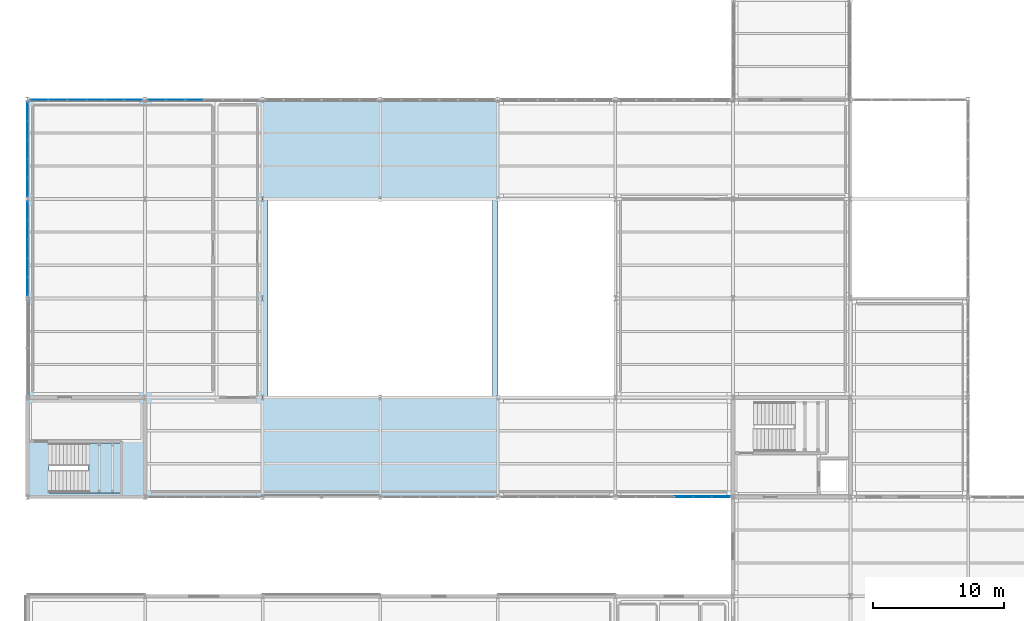
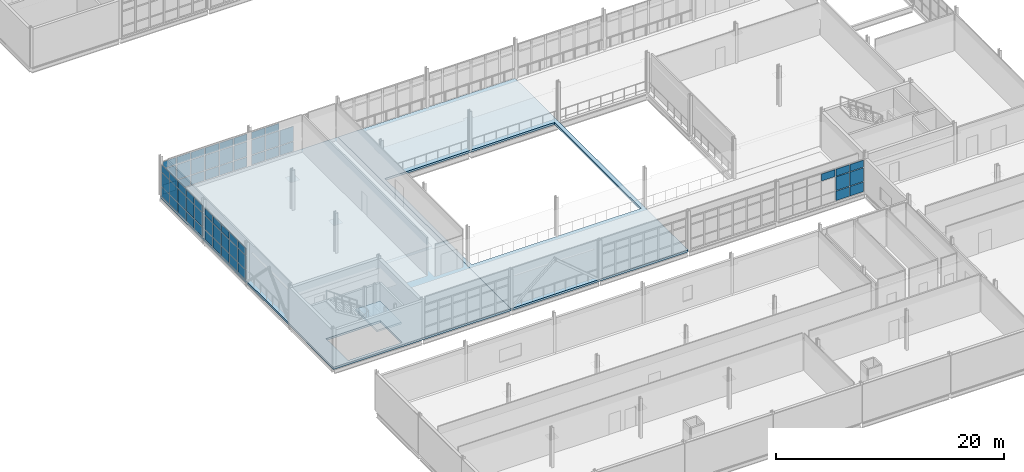
# One storey, part 129 of 174: 63 plates, 3 slabs, 6 elements without a shape of their own.
"""IFC4 building model written with IfcOpenShell, lengths in metres."""

from ifc_helpers import new_model, si_unit, direction, frame, origin, origin_2d, place, context, subcontext, project, spatial, polyline, rectangle, outline, extrude, material, layer, layer_set, type_object, element, aggregate, save


model = new_model("IFC4")

# Units and contexts
model_context = context("Model", 3, precision=1e-05, world=origin(), true_north=direction((0.0, 1.0)))
body_context = subcontext(model_context, "Body", "Model", "MODEL_VIEW")
ifc_project = project(units=[si_unit("LENGTHUNIT", "METRE"), si_unit("AREAUNIT", "SQUARE_METRE"), si_unit("VOLUMEUNIT", "CUBIC_METRE"), si_unit("PLANEANGLEUNIT", "RADIAN"), si_unit("MASSUNIT", "GRAM", prefix="KILO")], contexts=[model_context])

# Site, building, storey
site_placement = place(None, origin())
site = spatial("IfcSite", under=ifc_project, at=site_placement, CompositionType="ELEMENT")
building_placement = place(site_placement, origin())
building = spatial("IfcBuilding", under=site, at=building_placement, Name="Caisbarro Railhouse Central Library", CompositionType="ELEMENT")
storey_placement = place(building_placement, frame((0.0, 0.0, 5.0400390625)))
storey = spatial("IfcBuildingStorey", under=building, at=storey_placement, Name="L01", CompositionType="ELEMENT", Elevation=5.0400390625)

# Curtain wall, plates
ifc_material_1 = material(Name="Anodised architectural aluminium", Category="aluminium")
curtain_wall_type = type_object("IfcCurtainWallType", Name="CW-CW02", PredefinedType="NOTDEFINED", material=ifc_material_1)
curtain_wall_1_placement = place(storey_placement, origin())
curtain_wall_1 = element("IfcCurtainWall", 1, at=curtain_wall_1_placement, inside=storey, type_object=curtain_wall_type, Name="CW02 curtain wall L01 #2", PredefinedType="NOTDEFINED")
ifc_material_2 = material(Name="Double low-e laminated solar-control glass", Category="glass")
ifc_layer_1 = layer(ifc_material_2, 0.01806640625, Name="Double low-e laminated solar-control glass")
ifc_layer_set_1 = layer_set([ifc_layer_1], Name="Double low-e laminated solar-control glass")
plate_type_1 = type_object("IfcPlateType", Name="CWP-CP18", PredefinedType="CURTAIN_PANEL", material=ifc_layer_set_1)
plate_1_placement = place(storey_placement, frame((0.902099609375, 60.800048828125, 0.06494140625), z_axis=(0.0, 0.0, 1.0), x_axis=(1.0, 0.0, 0.0)))
plate_1 = element("IfcPlate", 2, at=plate_1_placement, type_object=plate_type_1, Name="CW02 panel 1.1", PredefinedType="CURTAIN_PANEL", context=body_context, shape_type="SweptSolid", body=[
    extrude(rectangle(XDim=1.334228515625, YDim=0.01806640625, at=origin_2d()), origin(), (0.0, 0.0, 1.0), 1.0224609375),
])
plate_2_placement = place(storey_placement, frame((0.902099609375, 60.800048828125, 1.15234375), z_axis=(0.0, 0.0, 1.0), x_axis=(1.0, 0.0, 0.0)))
plate_2 = element("IfcPlate", 3, at=plate_2_placement, type_object=plate_type_1, Name="CW02 panel 1.2", PredefinedType="CURTAIN_PANEL", context=body_context, shape_type="SweptSolid", body=[
    extrude(rectangle(XDim=1.334228515625, YDim=0.01806640625, at=origin_2d()), origin(), (0.0, 0.0, 1.0), 1.594970703125),
])
plate_3_placement = place(storey_placement, frame((0.902099609375, 60.800048828125, 2.8125), z_axis=(0.0, 0.0, 1.0), x_axis=(1.0, 0.0, 0.0)))
plate_3 = element("IfcPlate", 4, at=plate_3_placement, type_object=plate_type_1, Name="CW02 panel 1.3", PredefinedType="CURTAIN_PANEL", context=body_context, shape_type="SweptSolid", body=[
    extrude(rectangle(XDim=1.334228515625, YDim=0.01806640625, at=origin_2d()), origin(), (0.0, 0.0, 1.0), 0.75244140625),
])
plate_4_placement = place(storey_placement, frame((2.330078125, 60.800048828125, 0.06494140625), z_axis=(0.0, 0.0, 1.0), x_axis=(1.0, 0.0, 0.0)))
plate_4 = element("IfcPlate", 5, at=plate_4_placement, type_object=plate_type_1, Name="CW02 panel 2.1", PredefinedType="CURTAIN_PANEL", context=body_context, shape_type="SweptSolid", body=[
    extrude(rectangle(XDim=1.37158203125, YDim=0.01806640625, at=origin_2d()), origin(), (0.0, 0.0, 1.0), 1.0224609375),
])
plate_5_placement = place(storey_placement, frame((2.330078125, 60.800048828125, 1.15234375), z_axis=(0.0, 0.0, 1.0), x_axis=(1.0, 0.0, 0.0)))
plate_5 = element("IfcPlate", 6, at=plate_5_placement, type_object=plate_type_1, Name="CW02 panel 2.2", PredefinedType="CURTAIN_PANEL", context=body_context, shape_type="SweptSolid", body=[
    extrude(rectangle(XDim=1.37158203125, YDim=0.01806640625, at=origin_2d()), origin(), (0.0, 0.0, 1.0), 1.594970703125),
])
plate_6_placement = place(storey_placement, frame((2.330078125, 60.800048828125, 2.8125), z_axis=(0.0, 0.0, 1.0), x_axis=(1.0, 0.0, 0.0)))
plate_6 = element("IfcPlate", 7, at=plate_6_placement, type_object=plate_type_1, Name="CW02 panel 2.3", PredefinedType="CURTAIN_PANEL", context=body_context, shape_type="SweptSolid", body=[
    extrude(rectangle(XDim=1.37158203125, YDim=0.01806640625, at=origin_2d()), origin(), (0.0, 0.0, 1.0), 0.75244140625),
])
plate_7_placement = place(storey_placement, frame((3.776611328125, 60.800048828125, 0.06494140625), z_axis=(0.0, 0.0, 1.0), x_axis=(1.0, 0.0, 0.0)))
plate_7 = element("IfcPlate", 8, at=plate_7_placement, type_object=plate_type_1, Name="CW02 panel 3.1", PredefinedType="CURTAIN_PANEL", context=body_context, shape_type="SweptSolid", body=[
    extrude(rectangle(XDim=1.37158203125, YDim=0.01806640625, at=origin_2d()), origin(), (0.0, 0.0, 1.0), 1.0224609375),
])
plate_8_placement = place(storey_placement, frame((3.776611328125, 60.800048828125, 1.15234375), z_axis=(0.0, 0.0, 1.0), x_axis=(1.0, 0.0, 0.0)))
plate_8 = element("IfcPlate", 9, at=plate_8_placement, type_object=plate_type_1, Name="CW02 panel 3.2", PredefinedType="CURTAIN_PANEL", context=body_context, shape_type="SweptSolid", body=[
    extrude(rectangle(XDim=1.37158203125, YDim=0.01806640625, at=origin_2d()), origin(), (0.0, 0.0, 1.0), 1.594970703125),
])
plate_9_placement = place(storey_placement, frame((3.776611328125, 60.800048828125, 2.8125), z_axis=(0.0, 0.0, 1.0), x_axis=(1.0, 0.0, 0.0)))
plate_9 = element("IfcPlate", 10, at=plate_9_placement, type_object=plate_type_1, Name="CW02 panel 3.3", PredefinedType="CURTAIN_PANEL", context=body_context, shape_type="SweptSolid", body=[
    extrude(rectangle(XDim=1.37158203125, YDim=0.01806640625, at=origin_2d()), origin(), (0.0, 0.0, 1.0), 0.75244140625),
])
plate_10_placement = place(storey_placement, frame((5.223388671875, 60.800048828125, 0.06494140625), z_axis=(0.0, 0.0, 1.0), x_axis=(1.0, 0.0, 0.0)))
plate_10 = element("IfcPlate", 11, at=plate_10_placement, type_object=plate_type_1, Name="CW02 panel 4.1", PredefinedType="CURTAIN_PANEL", context=body_context, shape_type="SweptSolid", body=[
    extrude(rectangle(XDim=1.37158203125, YDim=0.01806640625, at=origin_2d()), origin(), (0.0, 0.0, 1.0), 1.0224609375),
])
plate_11_placement = place(storey_placement, frame((5.223388671875, 60.800048828125, 1.15234375), z_axis=(0.0, 0.0, 1.0), x_axis=(1.0, 0.0, 0.0)))
plate_11 = element("IfcPlate", 12, at=plate_11_placement, type_object=plate_type_1, Name="CW02 panel 4.2", PredefinedType="CURTAIN_PANEL", context=body_context, shape_type="SweptSolid", body=[
    extrude(rectangle(XDim=1.37158203125, YDim=0.01806640625, at=origin_2d()), origin(), (0.0, 0.0, 1.0), 1.594970703125),
])
plate_12_placement = place(storey_placement, frame((5.223388671875, 60.800048828125, 2.8125), z_axis=(0.0, 0.0, 1.0), x_axis=(1.0, 0.0, 0.0)))
plate_12 = element("IfcPlate", 13, at=plate_12_placement, type_object=plate_type_1, Name="CW02 panel 4.3", PredefinedType="CURTAIN_PANEL", context=body_context, shape_type="SweptSolid", body=[
    extrude(rectangle(XDim=1.37158203125, YDim=0.01806640625, at=origin_2d()), origin(), (0.0, 0.0, 1.0), 0.75244140625),
])
plate_13_placement = place(storey_placement, frame((6.669921875, 60.800048828125, 0.06494140625), z_axis=(0.0, 0.0, 1.0), x_axis=(1.0, 0.0, 0.0)))
plate_13 = element("IfcPlate", 14, at=plate_13_placement, type_object=plate_type_1, Name="CW02 panel 5.1", PredefinedType="CURTAIN_PANEL", context=body_context, shape_type="SweptSolid", body=[
    extrude(rectangle(XDim=1.37158203125, YDim=0.01806640625, at=origin_2d()), origin(), (0.0, 0.0, 1.0), 1.0224609375),
])
plate_14_placement = place(storey_placement, frame((6.669921875, 60.800048828125, 1.15234375), z_axis=(0.0, 0.0, 1.0), x_axis=(1.0, 0.0, 0.0)))
plate_14 = element("IfcPlate", 15, at=plate_14_placement, type_object=plate_type_1, Name="CW02 panel 5.2", PredefinedType="CURTAIN_PANEL", context=body_context, shape_type="SweptSolid", body=[
    extrude(rectangle(XDim=1.37158203125, YDim=0.01806640625, at=origin_2d()), origin(), (0.0, 0.0, 1.0), 1.594970703125),
])
plate_15_placement = place(storey_placement, frame((6.669921875, 60.800048828125, 2.8125), z_axis=(0.0, 0.0, 1.0), x_axis=(1.0, 0.0, 0.0)))
plate_15 = element("IfcPlate", 16, at=plate_15_placement, type_object=plate_type_1, Name="CW02 panel 5.3", PredefinedType="CURTAIN_PANEL", context=body_context, shape_type="SweptSolid", body=[
    extrude(rectangle(XDim=1.37158203125, YDim=0.01806640625, at=origin_2d()), origin(), (0.0, 0.0, 1.0), 0.75244140625),
])
plate_16_placement = place(storey_placement, frame((8.097900390625, 60.800048828125, 0.06494140625), z_axis=(0.0, 0.0, 1.0), x_axis=(1.0, 0.0, 0.0)))
plate_16 = element("IfcPlate", 17, at=plate_16_placement, type_object=plate_type_1, Name="CW02 panel 6.1", PredefinedType="CURTAIN_PANEL", context=body_context, shape_type="SweptSolid", body=[
    extrude(rectangle(XDim=1.334228515625, YDim=0.01806640625, at=origin_2d()), origin(), (0.0, 0.0, 1.0), 1.0224609375),
])
plate_17_placement = place(storey_placement, frame((8.097900390625, 60.800048828125, 1.15234375), z_axis=(0.0, 0.0, 1.0), x_axis=(1.0, 0.0, 0.0)))
plate_17 = element("IfcPlate", 18, at=plate_17_placement, type_object=plate_type_1, Name="CW02 panel 6.2", PredefinedType="CURTAIN_PANEL", context=body_context, shape_type="SweptSolid", body=[
    extrude(rectangle(XDim=1.334228515625, YDim=0.01806640625, at=origin_2d()), origin(), (0.0, 0.0, 1.0), 1.594970703125),
])
plate_18_placement = place(storey_placement, frame((8.097900390625, 60.800048828125, 2.8125), z_axis=(0.0, 0.0, 1.0), x_axis=(1.0, 0.0, 0.0)))
plate_18 = element("IfcPlate", 19, at=plate_18_placement, type_object=plate_type_1, Name="CW02 panel 6.3", PredefinedType="CURTAIN_PANEL", context=body_context, shape_type="SweptSolid", body=[
    extrude(rectangle(XDim=1.334228515625, YDim=0.01806640625, at=origin_2d()), origin(), (0.0, 0.0, 1.0), 0.75244140625),
])
aggregate(curtain_wall_1, [plate_1, plate_2, plate_3, plate_4, plate_5, plate_6, plate_7, plate_8, plate_9, plate_10, plate_11, plate_12, plate_13, plate_14, plate_15, plate_16, plate_17, plate_18])

curtain_wall_2_placement = place(storey_placement, origin())
curtain_wall_2 = element("IfcCurtainWall", 20, at=curtain_wall_2_placement, inside=storey, type_object=curtain_wall_type, Name="CW02 curtain wall L01 #4", PredefinedType="NOTDEFINED")
ifc_layer_2 = layer(ifc_material_2, 0.028076171875, Name="Double low-e laminated solar-control glass")
ifc_layer_set_2 = layer_set([ifc_layer_2], Name="Double low-e laminated solar-control glass")
plate_type_2 = type_object("IfcPlateType", Name="CWP-CP28", PredefinedType="CURTAIN_PANEL", material=ifc_layer_set_2)
plate_19_placement = place(storey_placement, frame((9.902099609375, 60.800048828125, 0.06494140625), z_axis=(0.0, 0.0, 1.0), x_axis=(1.0, 0.0, 0.0)))
plate_19 = element("IfcPlate", 21, at=plate_19_placement, type_object=plate_type_2, Name="CW02 panel 1.1", PredefinedType="CURTAIN_PANEL", context=body_context, shape_type="SweptSolid", body=[
    extrude(rectangle(XDim=1.334228515625, YDim=0.028076171875, at=origin_2d()), origin(), (0.0, 0.0, 1.0), 1.0224609375),
])
plate_20_placement = place(storey_placement, frame((9.902099609375, 60.800048828125, 1.15234375), z_axis=(0.0, 0.0, 1.0), x_axis=(1.0, 0.0, 0.0)))
plate_20 = element("IfcPlate", 22, at=plate_20_placement, type_object=plate_type_2, Name="CW02 panel 1.2", PredefinedType="CURTAIN_PANEL", context=body_context, shape_type="SweptSolid", body=[
    extrude(rectangle(XDim=1.334228515625, YDim=0.028076171875, at=origin_2d()), origin(), (0.0, 0.0, 1.0), 1.594970703125),
])
plate_21_placement = place(storey_placement, frame((9.902099609375, 60.800048828125, 2.8125), z_axis=(0.0, 0.0, 1.0), x_axis=(1.0, 0.0, 0.0)))
plate_21 = element("IfcPlate", 23, at=plate_21_placement, type_object=plate_type_2, Name="CW02 panel 1.3", PredefinedType="CURTAIN_PANEL", context=body_context, shape_type="SweptSolid", body=[
    extrude(rectangle(XDim=1.334228515625, YDim=0.028076171875, at=origin_2d()), origin(), (0.0, 0.0, 1.0), 0.75244140625),
])
plate_22_placement = place(storey_placement, frame((11.330078125, 60.800048828125, 0.06494140625), z_axis=(0.0, 0.0, 1.0), x_axis=(1.0, 0.0, 0.0)))
plate_22 = element("IfcPlate", 24, at=plate_22_placement, type_object=plate_type_2, Name="CW02 panel 2.1", PredefinedType="CURTAIN_PANEL", context=body_context, shape_type="SweptSolid", body=[
    extrude(rectangle(XDim=1.37158203125, YDim=0.028076171875, at=origin_2d()), origin(), (0.0, 0.0, 1.0), 1.0224609375),
])
plate_23_placement = place(storey_placement, frame((11.330078125, 60.800048828125, 1.15234375), z_axis=(0.0, 0.0, 1.0), x_axis=(1.0, 0.0, 0.0)))
plate_23 = element("IfcPlate", 25, at=plate_23_placement, type_object=plate_type_2, Name="CW02 panel 2.2", PredefinedType="CURTAIN_PANEL", context=body_context, shape_type="SweptSolid", body=[
    extrude(rectangle(XDim=1.37158203125, YDim=0.028076171875, at=origin_2d()), origin(), (0.0, 0.0, 1.0), 1.594970703125),
])
plate_24_placement = place(storey_placement, frame((11.330078125, 60.800048828125, 2.8125), z_axis=(0.0, 0.0, 1.0), x_axis=(1.0, 0.0, 0.0)))
plate_24 = element("IfcPlate", 26, at=plate_24_placement, type_object=plate_type_2, Name="CW02 panel 2.3", PredefinedType="CURTAIN_PANEL", context=body_context, shape_type="SweptSolid", body=[
    extrude(rectangle(XDim=1.37158203125, YDim=0.028076171875, at=origin_2d()), origin(), (0.0, 0.0, 1.0), 0.75244140625),
])
plate_25_placement = place(storey_placement, frame((12.776611328125, 60.800048828125, 0.06494140625), z_axis=(0.0, 0.0, 1.0), x_axis=(1.0, 0.0, 0.0)))
plate_25 = element("IfcPlate", 27, at=plate_25_placement, type_object=plate_type_2, Name="CW02 panel 3.1", PredefinedType="CURTAIN_PANEL", context=body_context, shape_type="SweptSolid", body=[
    extrude(rectangle(XDim=1.37158203125, YDim=0.028076171875, at=origin_2d()), origin(), (0.0, 0.0, 1.0), 1.0224609375),
])
plate_26_placement = place(storey_placement, frame((12.776611328125, 60.800048828125, 1.15234375), z_axis=(0.0, 0.0, 1.0), x_axis=(1.0, 0.0, 0.0)))
plate_26 = element("IfcPlate", 28, at=plate_26_placement, type_object=plate_type_2, Name="CW02 panel 3.2", PredefinedType="CURTAIN_PANEL", context=body_context, shape_type="SweptSolid", body=[
    extrude(rectangle(XDim=1.37158203125, YDim=0.028076171875, at=origin_2d()), origin(), (0.0, 0.0, 1.0), 1.594970703125),
])
aggregate(curtain_wall_2, [plate_19, plate_20, plate_21, plate_22, plate_23, plate_24, plate_25, plate_26])

curtain_wall_3_placement = place(storey_placement, origin())
curtain_wall_3 = element("IfcCurtainWall", 29, at=curtain_wall_3_placement, inside=storey, type_object=curtain_wall_type, Name="CW02 curtain wall L01 #28", PredefinedType="NOTDEFINED")
ifc_layer_3 = layer(ifc_material_2, 0.0380859375, Name="Double low-e laminated solar-control glass")
ifc_layer_set_3 = layer_set([ifc_layer_3], Name="Double low-e laminated solar-control glass")
plate_type_3 = type_object("IfcPlateType", Name="CWP-CP38", PredefinedType="CURTAIN_PANEL", material=ifc_layer_set_3)
plate_27_placement = place(storey_placement, frame((0.0, 46.504150390625, 0.07470703125), z_axis=(0.0, 0.0, 1.0), x_axis=(0.0, 1.0, 0.0)))
plate_27 = element("IfcPlate", 30, at=plate_27_placement, type_object=plate_type_3, Name="CW02 panel 1.1", PredefinedType="CURTAIN_PANEL", context=body_context, shape_type="SweptSolid", body=[
    extrude(rectangle(XDim=1.3583984375, YDim=0.0380859375, at=origin_2d()), origin(), (0.0, 0.0, 1.0), 1.007568359375),
])
plate_28_placement = place(storey_placement, frame((0.0, 46.504150390625, 1.1572265625), z_axis=(0.0, 0.0, 1.0), x_axis=(0.0, 1.0, 0.0)))
plate_28 = element("IfcPlate", 31, at=plate_28_placement, type_object=plate_type_3, Name="CW02 panel 1.2", PredefinedType="CURTAIN_PANEL", context=body_context, shape_type="SweptSolid", body=[
    extrude(rectangle(XDim=1.3583984375, YDim=0.0380859375, at=origin_2d()), origin(), (0.0, 0.0, 1.0), 1.465087890625),
])
plate_29_placement = place(storey_placement, frame((0.0, 46.504150390625, 2.697265625), z_axis=(0.0, 0.0, 1.0), x_axis=(0.0, 1.0, 0.0)))
plate_29 = element("IfcPlate", 32, at=plate_29_placement, type_object=plate_type_3, Name="CW02 panel 1.3", PredefinedType="CURTAIN_PANEL", context=body_context, shape_type="SweptSolid", body=[
    extrude(rectangle(XDim=1.3583984375, YDim=0.0380859375, at=origin_2d()), origin(), (0.0, 0.0, 1.0), 0.737548828125),
])
plate_30_placement = place(storey_placement, frame((0.0, 47.944091796875, 0.07470703125), z_axis=(0.0, 0.0, 1.0), x_axis=(0.0, 1.0, 0.0)))
plate_30 = element("IfcPlate", 33, at=plate_30_placement, type_object=plate_type_3, Name="CW02 panel 2.1", PredefinedType="CURTAIN_PANEL", context=body_context, shape_type="SweptSolid", body=[
    extrude(rectangle(XDim=1.39111328125, YDim=0.0380859375, at=origin_2d()), origin(), (0.0, 0.0, 1.0), 1.007568359375),
])
plate_31_placement = place(storey_placement, frame((0.0, 47.944091796875, 1.1572265625), z_axis=(0.0, 0.0, 1.0), x_axis=(0.0, 1.0, 0.0)))
plate_31 = element("IfcPlate", 34, at=plate_31_placement, type_object=plate_type_3, Name="CW02 panel 2.2", PredefinedType="CURTAIN_PANEL", context=body_context, shape_type="SweptSolid", body=[
    extrude(rectangle(XDim=1.39111328125, YDim=0.0380859375, at=origin_2d()), origin(), (0.0, 0.0, 1.0), 1.465087890625),
])
plate_32_placement = place(storey_placement, frame((0.0, 47.944091796875, 2.697265625), z_axis=(0.0, 0.0, 1.0), x_axis=(0.0, 1.0, 0.0)))
plate_32 = element("IfcPlate", 35, at=plate_32_placement, type_object=plate_type_3, Name="CW02 panel 2.3", PredefinedType="CURTAIN_PANEL", context=body_context, shape_type="SweptSolid", body=[
    extrude(rectangle(XDim=1.39111328125, YDim=0.0380859375, at=origin_2d()), origin(), (0.0, 0.0, 1.0), 0.737548828125),
])
plate_33_placement = place(storey_placement, frame((0.0, 49.39990234375, 0.07470703125), z_axis=(0.0, 0.0, 1.0), x_axis=(0.0, 1.0, 0.0)))
plate_33 = element("IfcPlate", 36, at=plate_33_placement, type_object=plate_type_3, Name="CW02 panel 3.1", PredefinedType="CURTAIN_PANEL", context=body_context, shape_type="SweptSolid", body=[
    extrude(rectangle(XDim=1.39111328125, YDim=0.0380859375, at=origin_2d()), origin(), (0.0, 0.0, 1.0), 1.007568359375),
])
plate_34_placement = place(storey_placement, frame((0.0, 49.39990234375, 1.1572265625), z_axis=(0.0, 0.0, 1.0), x_axis=(0.0, 1.0, 0.0)))
plate_34 = element("IfcPlate", 37, at=plate_34_placement, type_object=plate_type_3, Name="CW02 panel 3.2", PredefinedType="CURTAIN_PANEL", context=body_context, shape_type="SweptSolid", body=[
    extrude(rectangle(XDim=1.39111328125, YDim=0.0380859375, at=origin_2d()), origin(), (0.0, 0.0, 1.0), 1.465087890625),
])
plate_35_placement = place(storey_placement, frame((0.0, 49.39990234375, 2.697265625), z_axis=(0.0, 0.0, 1.0), x_axis=(0.0, 1.0, 0.0)))
plate_35 = element("IfcPlate", 38, at=plate_35_placement, type_object=plate_type_3, Name="CW02 panel 3.3", PredefinedType="CURTAIN_PANEL", context=body_context, shape_type="SweptSolid", body=[
    extrude(rectangle(XDim=1.39111328125, YDim=0.0380859375, at=origin_2d()), origin(), (0.0, 0.0, 1.0), 0.737548828125),
])
plate_36_placement = place(storey_placement, frame((0.0, 50.85595703125, 0.07470703125), z_axis=(0.0, 0.0, 1.0), x_axis=(0.0, 1.0, 0.0)))
plate_36 = element("IfcPlate", 39, at=plate_36_placement, type_object=plate_type_3, Name="CW02 panel 4.1", PredefinedType="CURTAIN_PANEL", context=body_context, shape_type="SweptSolid", body=[
    extrude(rectangle(XDim=1.39111328125, YDim=0.0380859375, at=origin_2d()), origin(), (0.0, 0.0, 1.0), 1.007568359375),
])
plate_37_placement = place(storey_placement, frame((0.0, 50.85595703125, 1.1572265625), z_axis=(0.0, 0.0, 1.0), x_axis=(0.0, 1.0, 0.0)))
plate_37 = element("IfcPlate", 40, at=plate_37_placement, type_object=plate_type_3, Name="CW02 panel 4.2", PredefinedType="CURTAIN_PANEL", context=body_context, shape_type="SweptSolid", body=[
    extrude(rectangle(XDim=1.39111328125, YDim=0.0380859375, at=origin_2d()), origin(), (0.0, 0.0, 1.0), 1.465087890625),
])
plate_38_placement = place(storey_placement, frame((0.0, 50.85595703125, 2.697265625), z_axis=(0.0, 0.0, 1.0), x_axis=(0.0, 1.0, 0.0)))
plate_38 = element("IfcPlate", 41, at=plate_38_placement, type_object=plate_type_3, Name="CW02 panel 4.3", PredefinedType="CURTAIN_PANEL", context=body_context, shape_type="SweptSolid", body=[
    extrude(rectangle(XDim=1.39111328125, YDim=0.0380859375, at=origin_2d()), origin(), (0.0, 0.0, 1.0), 0.737548828125),
])
plate_39_placement = place(storey_placement, frame((0.0, 52.295654296875, 0.07470703125), z_axis=(0.0, 0.0, 1.0), x_axis=(0.0, 1.0, 0.0)))
plate_39 = element("IfcPlate", 42, at=plate_39_placement, type_object=plate_type_3, Name="CW02 panel 5.1", PredefinedType="CURTAIN_PANEL", context=body_context, shape_type="SweptSolid", body=[
    extrude(rectangle(XDim=1.3583984375, YDim=0.0380859375, at=origin_2d()), origin(), (0.0, 0.0, 1.0), 1.007568359375),
])
plate_40_placement = place(storey_placement, frame((0.0, 52.295654296875, 1.1572265625), z_axis=(0.0, 0.0, 1.0), x_axis=(0.0, 1.0, 0.0)))
plate_40 = element("IfcPlate", 43, at=plate_40_placement, type_object=plate_type_3, Name="CW02 panel 5.2", PredefinedType="CURTAIN_PANEL", context=body_context, shape_type="SweptSolid", body=[
    extrude(rectangle(XDim=1.3583984375, YDim=0.0380859375, at=origin_2d()), origin(), (0.0, 0.0, 1.0), 1.465087890625),
])
plate_41_placement = place(storey_placement, frame((0.0, 52.295654296875, 2.697265625), z_axis=(0.0, 0.0, 1.0), x_axis=(0.0, 1.0, 0.0)))
plate_41 = element("IfcPlate", 44, at=plate_41_placement, type_object=plate_type_3, Name="CW02 panel 5.3", PredefinedType="CURTAIN_PANEL", context=body_context, shape_type="SweptSolid", body=[
    extrude(rectangle(XDim=1.3583984375, YDim=0.0380859375, at=origin_2d()), origin(), (0.0, 0.0, 1.0), 0.737548828125),
])
aggregate(curtain_wall_3, [plate_27, plate_28, plate_29, plate_30, plate_31, plate_32, plate_33, plate_34, plate_35, plate_36, plate_37, plate_38, plate_39, plate_40, plate_41])

curtain_wall_4_placement = place(storey_placement, origin())
curtain_wall_4 = element("IfcCurtainWall", 45, at=curtain_wall_4_placement, inside=storey, type_object=curtain_wall_type, Name="CW02 curtain wall L01 #29", PredefinedType="NOTDEFINED")
ifc_layer_4 = layer(ifc_material_2, 0.048095703125, Name="Double low-e laminated solar-control glass")
ifc_layer_set_4 = layer_set([ifc_layer_4], Name="Double low-e laminated solar-control glass")
plate_type_4 = type_object("IfcPlateType", Name="CWP-CP48", PredefinedType="CURTAIN_PANEL", material=ifc_layer_set_4)
plate_42_placement = place(storey_placement, frame((0.0, 54.104248046875, 0.07470703125), z_axis=(0.0, 0.0, 1.0), x_axis=(0.0, 1.0, 0.0)))
plate_42 = element("IfcPlate", 46, at=plate_42_placement, type_object=plate_type_4, Name="CW02 panel 1.1", PredefinedType="CURTAIN_PANEL", context=body_context, shape_type="SweptSolid", body=[
    extrude(rectangle(XDim=1.3583984375, YDim=0.048095703125, at=origin_2d()), origin(), (0.0, 0.0, 1.0), 1.007568359375),
])
plate_43_placement = place(storey_placement, frame((0.0, 54.104248046875, 1.1572265625), z_axis=(0.0, 0.0, 1.0), x_axis=(0.0, 1.0, 0.0)))
plate_43 = element("IfcPlate", 47, at=plate_43_placement, type_object=plate_type_4, Name="CW02 panel 1.2", PredefinedType="CURTAIN_PANEL", context=body_context, shape_type="SweptSolid", body=[
    extrude(rectangle(XDim=1.3583984375, YDim=0.048095703125, at=origin_2d()), origin(), (0.0, 0.0, 1.0), 1.465087890625),
])
plate_44_placement = place(storey_placement, frame((0.0, 54.104248046875, 2.697265625), z_axis=(0.0, 0.0, 1.0), x_axis=(0.0, 1.0, 0.0)))
plate_44 = element("IfcPlate", 48, at=plate_44_placement, type_object=plate_type_4, Name="CW02 panel 1.3", PredefinedType="CURTAIN_PANEL", context=body_context, shape_type="SweptSolid", body=[
    extrude(rectangle(XDim=1.3583984375, YDim=0.048095703125, at=origin_2d()), origin(), (0.0, 0.0, 1.0), 0.737548828125),
])
plate_45_placement = place(storey_placement, frame((0.0, 55.5439453125, 0.07470703125), z_axis=(0.0, 0.0, 1.0), x_axis=(0.0, 1.0, 0.0)))
plate_45 = element("IfcPlate", 49, at=plate_45_placement, type_object=plate_type_4, Name="CW02 panel 2.1", PredefinedType="CURTAIN_PANEL", context=body_context, shape_type="SweptSolid", body=[
    extrude(rectangle(XDim=1.39111328125, YDim=0.048095703125, at=origin_2d()), origin(), (0.0, 0.0, 1.0), 1.007568359375),
])
plate_46_placement = place(storey_placement, frame((0.0, 55.5439453125, 1.1572265625), z_axis=(0.0, 0.0, 1.0), x_axis=(0.0, 1.0, 0.0)))
plate_46 = element("IfcPlate", 50, at=plate_46_placement, type_object=plate_type_4, Name="CW02 panel 2.2", PredefinedType="CURTAIN_PANEL", context=body_context, shape_type="SweptSolid", body=[
    extrude(rectangle(XDim=1.39111328125, YDim=0.048095703125, at=origin_2d()), origin(), (0.0, 0.0, 1.0), 1.465087890625),
])
plate_47_placement = place(storey_placement, frame((0.0, 55.5439453125, 2.697265625), z_axis=(0.0, 0.0, 1.0), x_axis=(0.0, 1.0, 0.0)))
plate_47 = element("IfcPlate", 51, at=plate_47_placement, type_object=plate_type_4, Name="CW02 panel 2.3", PredefinedType="CURTAIN_PANEL", context=body_context, shape_type="SweptSolid", body=[
    extrude(rectangle(XDim=1.39111328125, YDim=0.048095703125, at=origin_2d()), origin(), (0.0, 0.0, 1.0), 0.737548828125),
])
plate_48_placement = place(storey_placement, frame((0.0, 57.0, 0.07470703125), z_axis=(0.0, 0.0, 1.0), x_axis=(0.0, 1.0, 0.0)))
plate_48 = element("IfcPlate", 52, at=plate_48_placement, type_object=plate_type_4, Name="CW02 panel 3.1", PredefinedType="CURTAIN_PANEL", context=body_context, shape_type="SweptSolid", body=[
    extrude(rectangle(XDim=1.39111328125, YDim=0.048095703125, at=origin_2d()), origin(), (0.0, 0.0, 1.0), 1.007568359375),
])
plate_49_placement = place(storey_placement, frame((0.0, 57.0, 1.1572265625), z_axis=(0.0, 0.0, 1.0), x_axis=(0.0, 1.0, 0.0)))
plate_49 = element("IfcPlate", 53, at=plate_49_placement, type_object=plate_type_4, Name="CW02 panel 3.2", PredefinedType="CURTAIN_PANEL", context=body_context, shape_type="SweptSolid", body=[
    extrude(rectangle(XDim=1.39111328125, YDim=0.048095703125, at=origin_2d()), origin(), (0.0, 0.0, 1.0), 1.465087890625),
])
plate_50_placement = place(storey_placement, frame((0.0, 57.0, 2.697265625), z_axis=(0.0, 0.0, 1.0), x_axis=(0.0, 1.0, 0.0)))
plate_50 = element("IfcPlate", 54, at=plate_50_placement, type_object=plate_type_4, Name="CW02 panel 3.3", PredefinedType="CURTAIN_PANEL", context=body_context, shape_type="SweptSolid", body=[
    extrude(rectangle(XDim=1.39111328125, YDim=0.048095703125, at=origin_2d()), origin(), (0.0, 0.0, 1.0), 0.737548828125),
])
plate_51_placement = place(storey_placement, frame((0.0, 58.4560546875, 0.07470703125), z_axis=(0.0, 0.0, 1.0), x_axis=(0.0, 1.0, 0.0)))
plate_51 = element("IfcPlate", 55, at=plate_51_placement, type_object=plate_type_4, Name="CW02 panel 4.1", PredefinedType="CURTAIN_PANEL", context=body_context, shape_type="SweptSolid", body=[
    extrude(rectangle(XDim=1.39111328125, YDim=0.048095703125, at=origin_2d()), origin(), (0.0, 0.0, 1.0), 1.007568359375),
])
plate_52_placement = place(storey_placement, frame((0.0, 58.4560546875, 1.1572265625), z_axis=(0.0, 0.0, 1.0), x_axis=(0.0, 1.0, 0.0)))
plate_52 = element("IfcPlate", 56, at=plate_52_placement, type_object=plate_type_4, Name="CW02 panel 4.2", PredefinedType="CURTAIN_PANEL", context=body_context, shape_type="SweptSolid", body=[
    extrude(rectangle(XDim=1.39111328125, YDim=0.048095703125, at=origin_2d()), origin(), (0.0, 0.0, 1.0), 1.465087890625),
])
plate_53_placement = place(storey_placement, frame((0.0, 58.4560546875, 2.697265625), z_axis=(0.0, 0.0, 1.0), x_axis=(0.0, 1.0, 0.0)))
plate_53 = element("IfcPlate", 57, at=plate_53_placement, type_object=plate_type_4, Name="CW02 panel 4.3", PredefinedType="CURTAIN_PANEL", context=body_context, shape_type="SweptSolid", body=[
    extrude(rectangle(XDim=1.39111328125, YDim=0.048095703125, at=origin_2d()), origin(), (0.0, 0.0, 1.0), 0.737548828125),
])
plate_54_placement = place(storey_placement, frame((0.0, 59.895751953125, 0.07470703125), z_axis=(0.0, 0.0, 1.0), x_axis=(0.0, 1.0, 0.0)))
plate_54 = element("IfcPlate", 58, at=plate_54_placement, type_object=plate_type_4, Name="CW02 panel 5.1", PredefinedType="CURTAIN_PANEL", context=body_context, shape_type="SweptSolid", body=[
    extrude(rectangle(XDim=1.3583984375, YDim=0.048095703125, at=origin_2d()), origin(), (0.0, 0.0, 1.0), 1.007568359375),
])
plate_55_placement = place(storey_placement, frame((0.0, 59.895751953125, 1.1572265625), z_axis=(0.0, 0.0, 1.0), x_axis=(0.0, 1.0, 0.0)))
plate_55 = element("IfcPlate", 59, at=plate_55_placement, type_object=plate_type_4, Name="CW02 panel 5.2", PredefinedType="CURTAIN_PANEL", context=body_context, shape_type="SweptSolid", body=[
    extrude(rectangle(XDim=1.3583984375, YDim=0.048095703125, at=origin_2d()), origin(), (0.0, 0.0, 1.0), 1.465087890625),
])
plate_56_placement = place(storey_placement, frame((0.0, 59.895751953125, 2.697265625), z_axis=(0.0, 0.0, 1.0), x_axis=(0.0, 1.0, 0.0)))
plate_56 = element("IfcPlate", 60, at=plate_56_placement, type_object=plate_type_4, Name="CW02 panel 5.3", PredefinedType="CURTAIN_PANEL", context=body_context, shape_type="SweptSolid", body=[
    extrude(rectangle(XDim=1.3583984375, YDim=0.048095703125, at=origin_2d()), origin(), (0.0, 0.0, 1.0), 0.737548828125),
])
aggregate(curtain_wall_4, [plate_42, plate_43, plate_44, plate_45, plate_46, plate_47, plate_48, plate_49, plate_50, plate_51, plate_52, plate_53, plate_54, plate_55, plate_56])

curtain_wall_5_placement = place(storey_placement, origin())
curtain_wall_5 = element("IfcCurtainWall", 61, at=curtain_wall_5_placement, inside=storey, type_object=curtain_wall_type, Name="CW02 curtain wall L01 #37", PredefinedType="NOTDEFINED")
ifc_layer_5 = layer(ifc_material_2, 0.068115234375, Name="Double low-e laminated solar-control glass")
ifc_layer_set_5 = layer_set([ifc_layer_5], Name="Double low-e laminated solar-control glass")
plate_type_5 = type_object("IfcPlateType", Name="CWP-CP68", PredefinedType="CURTAIN_PANEL", material=ifc_layer_set_5)
plate_57_placement = place(storey_placement, frame((50.223388671875, 30.39990234375, 2.6923828125), z_axis=(0.0, 0.0, 1.0), x_axis=(1.0, 0.0, 0.0)))
plate_57 = element("IfcPlate", 62, at=plate_57_placement, type_object=plate_type_5, Name="CW02 panel 4.3", PredefinedType="CURTAIN_PANEL", context=body_context, shape_type="SweptSolid", body=[
    extrude(rectangle(XDim=1.381591796875, YDim=0.068115234375, at=origin_2d()), origin(), (0.0, 0.0, 1.0), 0.75244140625),
])
plate_58_placement = place(storey_placement, frame((51.669921875, 30.39990234375, 0.06494140625), z_axis=(0.0, 0.0, 1.0), x_axis=(1.0, 0.0, 0.0)))
plate_58 = element("IfcPlate", 63, at=plate_58_placement, type_object=plate_type_5, Name="CW02 panel 5.1", PredefinedType="CURTAIN_PANEL", context=body_context, shape_type="SweptSolid", body=[
    extrude(rectangle(XDim=1.381591796875, YDim=0.068115234375, at=origin_2d()), origin(), (0.0, 0.0, 1.0), 1.0224609375),
])
plate_59_placement = place(storey_placement, frame((51.669921875, 30.39990234375, 1.15234375), z_axis=(0.0, 0.0, 1.0), x_axis=(1.0, 0.0, 0.0)))
plate_59 = element("IfcPlate", 64, at=plate_59_placement, type_object=plate_type_5, Name="CW02 panel 5.2", PredefinedType="CURTAIN_PANEL", context=body_context, shape_type="SweptSolid", body=[
    extrude(rectangle(XDim=1.381591796875, YDim=0.068115234375, at=origin_2d()), origin(), (0.0, 0.0, 1.0), 1.47509765625),
])
plate_60_placement = place(storey_placement, frame((51.669921875, 30.39990234375, 2.6923828125), z_axis=(0.0, 0.0, 1.0), x_axis=(1.0, 0.0, 0.0)))
plate_60 = element("IfcPlate", 65, at=plate_60_placement, type_object=plate_type_5, Name="CW02 panel 5.3", PredefinedType="CURTAIN_PANEL", context=body_context, shape_type="SweptSolid", body=[
    extrude(rectangle(XDim=1.381591796875, YDim=0.068115234375, at=origin_2d()), origin(), (0.0, 0.0, 1.0), 0.75244140625),
])
plate_61_placement = place(storey_placement, frame((53.100341796875, 30.39990234375, 0.06494140625), z_axis=(0.0, 0.0, 1.0), x_axis=(1.0, 0.0, 0.0)))
plate_61 = element("IfcPlate", 66, at=plate_61_placement, type_object=plate_type_5, Name="CW02 panel 6.1", PredefinedType="CURTAIN_PANEL", context=body_context, shape_type="SweptSolid", body=[
    extrude(rectangle(XDim=1.34912109375, YDim=0.068115234375, at=origin_2d()), origin(), (0.0, 0.0, 1.0), 1.0224609375),
])
plate_62_placement = place(storey_placement, frame((53.100341796875, 30.39990234375, 1.15234375), z_axis=(0.0, 0.0, 1.0), x_axis=(1.0, 0.0, 0.0)))
plate_62 = element("IfcPlate", 67, at=plate_62_placement, type_object=plate_type_5, Name="CW02 panel 6.2", PredefinedType="CURTAIN_PANEL", context=body_context, shape_type="SweptSolid", body=[
    extrude(rectangle(XDim=1.34912109375, YDim=0.068115234375, at=origin_2d()), origin(), (0.0, 0.0, 1.0), 1.47509765625),
])
plate_63_placement = place(storey_placement, frame((53.100341796875, 30.39990234375, 2.6923828125), z_axis=(0.0, 0.0, 1.0), x_axis=(1.0, 0.0, 0.0)))
plate_63 = element("IfcPlate", 68, at=plate_63_placement, type_object=plate_type_5, Name="CW02 panel 6.3", PredefinedType="CURTAIN_PANEL", context=body_context, shape_type="SweptSolid", body=[
    extrude(rectangle(XDim=1.34912109375, YDim=0.068115234375, at=origin_2d()), origin(), (0.0, 0.0, 1.0), 0.75244140625),
])
aggregate(curtain_wall_5, [plate_57, plate_58, plate_59, plate_60, plate_61, plate_62, plate_63])

# Slabs
ifc_material_3 = material(Name="Concrete C35", Category="concrete")
ifc_layer_6 = layer(ifc_material_3, 0.219970703125, Name="Concrete C35")
ifc_layer_set_6 = layer_set([ifc_layer_6], Name="Concrete C35")
slab_type_1 = type_object("IfcSlabType", Name="SLB-FL22", PredefinedType="FLOOR", material=ifc_layer_set_6)
slab_1_placement = place(storey_placement, frame((0.0, 0.0, -0.219970703125)))
element("IfcSlab", 69, at=slab_1_placement, inside=storey, type_object=slab_type_1, Name="SF22 structural slab L01 V1.1", PredefinedType="FLOOR", context=body_context, shape_type="SweptSolid", body=[
    extrude(outline(polyline([(0.0, 30.39990234375), (18.0, 30.39990234375), (18.0, 60.800048828125), (0.0, 60.800048828125), (0.0, 30.39990234375)]), holes=[polyline([(1.64990234375, 30.699951171875), (7.14990234375, 30.699951171875), (7.14990234375, 34.550048828125), (1.64990234375, 34.550048828125), (1.64990234375, 30.699951171875)])]), origin(), (0.0, 0.0, 1.0), 0.219970703125),
])
slab_2_placement = place(storey_placement, frame((0.0, 0.0, -0.219970703125)))
element("IfcSlab", 70, at=slab_2_placement, inside=storey, type_object=slab_type_1, Name="SF22 structural slab L01 V1.2", PredefinedType="FLOOR", context=body_context, shape_type="SweptSolid", body=[
    extrude(outline(polyline([(18.0, 30.39990234375), (36.0, 30.39990234375), (36.0, 60.800048828125), (18.0, 60.800048828125), (18.0, 30.39990234375)]), holes=[polyline([(18.39990234375, 38.0), (35.60009765625, 38.0), (35.60009765625, 53.199951171875), (18.39990234375, 53.199951171875), (18.39990234375, 38.0)])]), origin(), (0.0, 0.0, 1.0), 0.219970703125),
])

# Stair, slab
stair_type = type_object("IfcStairType", Name="STR-ST43B", PredefinedType="HALF_TURN_STAIR", material=ifc_material_3)
stair_placement = place(storey_placement, origin())
stair = element("IfcStair", 71, at=stair_placement, inside=storey, type_object=stair_type, Name="Protected Stair ST-06 (L01)", PredefinedType="HALF_TURN_STAIR")
ifc_layer_7 = layer(ifc_material_3, 0.18994140625, Name="Concrete C35")
ifc_layer_set_7 = layer_set([ifc_layer_7], Name="Concrete C35")
slab_type_2 = type_object("IfcSlabType", Name="SLB-LND19", PredefinedType="LANDING", material=ifc_layer_set_7)
slab_3_placement = place(storey_placement, frame((0.0, 0.0, 1.969970703125)))
slab_3 = element("IfcSlab", 72, at=slab_3_placement, type_object=slab_type_2, Name="ST-06 landing 1", PredefinedType="LANDING", context=body_context, shape_type="SweptSolid", body=[
    extrude(outline(polyline([(4.6201171875, 30.739990234375), (7.1201171875, 30.739990234375), (7.1201171875, 34.510009765625), (4.6201171875, 34.510009765625), (4.6201171875, 30.739990234375)])), origin(), (0.0, 0.0, 1.0), 0.18994140625),
])
aggregate(stair, [slab_3])

save(model, "model.ifc")
